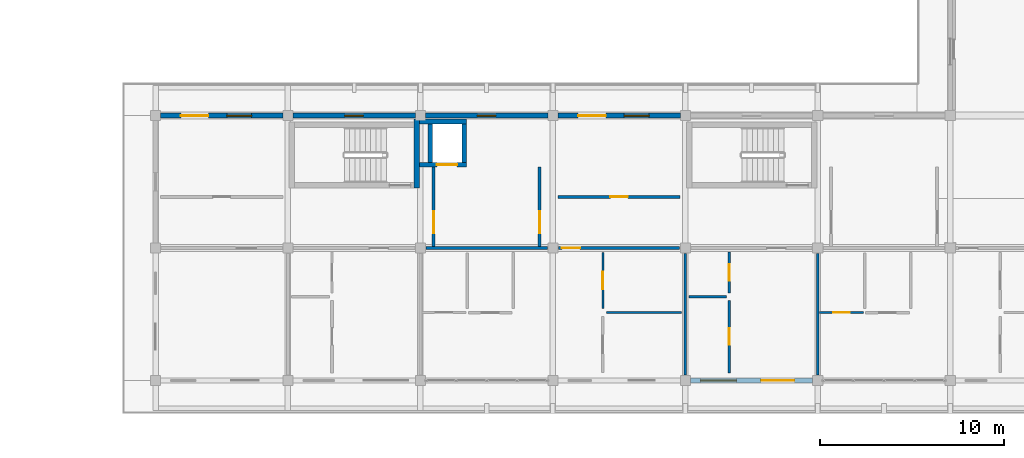
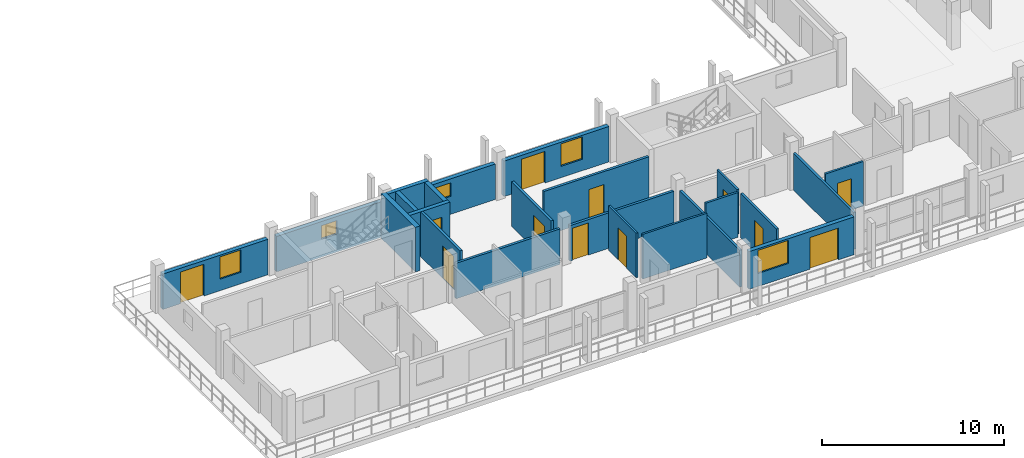
# One storey, part 45 of 67: 23 walls, 12 doors, 5 windows, 17 openings.
"""IFC4 building model written with IfcOpenShell, lengths in metres."""

import ifcopenshell
import ifcopenshell.guid

model = None  # the IFC model being written
_history = None  # IfcOwnerHistory: only IFC2X3 demands one
_inside = {}  # id of a spatial element -> (the spatial element, [elements in it])
_under = {}  # id of a project, library or spatial element -> (it, [spatial elements below it])
_declared = {}  # id of a project -> (the project, [libraries it declares])
_typed = {}  # id of a type object -> (the type object, [elements of that type])
_made_of = {}  # id of a material, layer set ... -> (it, [elements and type objects made of it])


def new_model(schema):
    """Start an empty IFC model of exactly this schema.

    Asked for "IFC4X3", IfcOpenShell would pick the latest addendum, in which some entities
    have other attributes; the version numbers below select the first issue.
    IFC2X3 requires an IfcOwnerHistory on every rooted entity: one is made here for all.
    """
    global model, _history
    if schema == "IFC4X3":
        model = ifcopenshell.file(schema_version=(4, 3, 0, 0))
    else:
        model = ifcopenshell.file(schema=schema)
    _inside.clear()
    _under.clear()
    _declared.clear()
    _typed.clear()
    _made_of.clear()
    _history = None
    if model.schema == "IFC2X3":
        org = make("IfcOrganization", Name="unknown")
        user = make(
            "IfcPersonAndOrganization",
            ThePerson=make("IfcPerson", FamilyName="unknown"),
            TheOrganization=org,
        )
        app = make(
            "IfcApplication",
            ApplicationDeveloper=org,
            Version="unknown",
            ApplicationFullName="unknown",
            ApplicationIdentifier="unknown",
        )
        _history = make(
            "IfcOwnerHistory",
            OwningUser=user,
            OwningApplication=app,
            ChangeAction="ADDED",
            CreationDate=0,
        )
    return model


def make(cls, **values):
    """One entity of the class cls with the attributes given. An attribute that is None is left unset."""
    return model.create_entity(
        cls, **{name: value for name, value in values.items() if value is not None}
    )


def rooted(cls, **values):
    """An entity with a GlobalId (a new one), such as an element, a storey or a relation."""
    return make(cls, GlobalId=ifcopenshell.guid.new(), OwnerHistory=_history, **values)


def si_unit(unit_type, name, prefix=None):
    """IfcSIUnit, for example si_unit("LENGTHUNIT", "METRE", prefix="MILLI")."""
    return make("IfcSIUnit", UnitType=unit_type, Prefix=prefix, Name=name)


def assignment(units):
    """IfcUnitAssignment: the units of a project."""
    return None if units is None else make("IfcUnitAssignment", Units=units)


def point(xyz):
    """IfcCartesianPoint."""
    return None if xyz is None else make("IfcCartesianPoint", Coordinates=xyz)


def direction(xyz):
    """IfcDirection."""
    return None if xyz is None else make("IfcDirection", DirectionRatios=xyz)


def frame(location, z_axis=None, x_axis=None):
    """IfcAxis2Placement3D, a coordinate frame: its origin and axes. An axis left out is left unset."""
    return make(
        "IfcAxis2Placement3D",
        Location=point(location),
        Axis=direction(z_axis),
        RefDirection=direction(x_axis),
    )


def frame_2d(location, x_axis=None):
    """IfcAxis2Placement2D, a coordinate frame in the plane: its origin and x axis."""
    return make(
        "IfcAxis2Placement2D", Location=point(location), RefDirection=direction(x_axis)
    )


def origin():
    """The frame at (0, 0, 0) with its axes left unset."""
    return frame((0.0, 0.0, 0.0))


def place(relative_to, where):
    """IfcLocalPlacement: puts the frame where relative to a parent placement (None: the world)."""
    return make(
        "IfcLocalPlacement", PlacementRelTo=relative_to, RelativePlacement=where
    )


def context(
    kind, dimensions, precision=None, world=None, true_north=None, identifier=None
):
    """IfcGeometricRepresentationContext, for example the 3D "Model" context."""
    return make(
        "IfcGeometricRepresentationContext",
        ContextIdentifier=identifier,
        ContextType=kind,
        CoordinateSpaceDimension=dimensions,
        Precision=precision,
        WorldCoordinateSystem=world,
        TrueNorth=true_north,
    )


def subcontext(parent, identifier, kind, view, scale=None):
    """IfcGeometricRepresentationSubContext, for example "Body" below "Model"."""
    return make(
        "IfcGeometricRepresentationSubContext",
        ContextIdentifier=identifier,
        ContextType=kind,
        ParentContext=parent,
        TargetScale=scale,
        TargetView=view,
    )


def project(units=None, contexts=None):
    """IfcProject with its units and contexts."""
    return rooted(
        "IfcProject",
        Name="project",
        RepresentationContexts=contexts,
        UnitsInContext=assignment(units),
    )


def spatial(cls, under=None, at=None, **own):
    """A site, building, storey or space (cls), placed at a placement, below another one or the project."""
    s = rooted(cls, ObjectPlacement=at, **own)
    if under is not None:
        _under.setdefault(under.id(), (under, []))[1].append(s)
    return s


def profile(cls, at=None, kind="AREA", **sizes):
    """A parametric profile (cls). Its sizes go by their IFC names, for example OverallWidth=200.0."""
    return make(cls, ProfileType=kind, Position=at, **sizes)


def rectangle(**sizes):
    """IfcRectangleProfileDef."""
    return profile("IfcRectangleProfileDef", **sizes)


def extrude(swept, where, along, depth):
    """IfcExtrudedAreaSolid: the profile swept, set in the frame where, extruded along a direction by depth."""
    return make(
        "IfcExtrudedAreaSolid",
        SweptArea=swept,
        Position=where,
        ExtrudedDirection=direction(along),
        Depth=depth,
    )


def shape(context_of_items, identifier, shape_type, items):
    """IfcShapeRepresentation: the items that make up one representation, for example the "Body"."""
    return make(
        "IfcShapeRepresentation",
        ContextOfItems=context_of_items,
        RepresentationIdentifier=identifier,
        RepresentationType=shape_type,
        Items=items,
    )


def material(Name=None, Category=None):
    """IfcMaterial."""
    return make("IfcMaterial", Name=Name, Category=Category)


def layer(
    of_material, thickness, ventilated=None, Name=None, Category=None, Priority=None
):
    """IfcMaterialLayer: one layer of a wall or slab, of a material (None: an air gap)."""
    return make(
        "IfcMaterialLayer",
        Material=of_material,
        LayerThickness=thickness,
        IsVentilated=ventilated,
        Name=Name,
        Category=Category,
        Priority=Priority,
    )


def layer_set(layers, Name=None):
    """IfcMaterialLayerSet."""
    return make("IfcMaterialLayerSet", MaterialLayers=layers, LayerSetName=Name)


def made_of(thing, what):
    """Note that an element or type object is made of a material, layer set ...; save() writes the relation."""
    if what is not None:
        _made_of.setdefault(what.id(), (what, []))[1].append(thing)
    return thing


def type_object(cls, material=None, **own):
    """A type object (cls), such as IfcWallType, which elements share."""
    return made_of(rooted(cls, **own), material)


def element(
    cls,
    number,
    at=None,
    inside=None,
    cuts=None,
    type_object=None,
    material=None,
    context=None,
    identifier="Body",
    shape_type=None,
    held_by="IfcProductDefinitionShape",
    body=None,
    shapes=None,
    **own,
):
    """One element of the class cls, such as IfcWall. Its Tag is "e" and its number.

    at: its placement. inside: the storey or other place that contains it. cuts: it is an
    opening in that element (IfcRelVoidsElement). A single representation is given by context,
    identifier, shape_type and body (its items); several are given by shapes. held_by: the class
    of the entity that holds the representations. save() writes the other relations.
    """
    e = rooted(cls, Tag="e%d" % number, ObjectPlacement=at, **own)
    if body is not None:
        shapes = [shape(context, identifier, shape_type, body)]
    if shapes is not None:
        e.Representation = make(held_by, Representations=shapes)
    if inside is not None:
        _inside.setdefault(inside.id(), (inside, []))[1].append(e)
    if cuts is not None:
        rooted(
            "IfcRelVoidsElement", RelatingBuildingElement=cuts, RelatedOpeningElement=e
        )
    if type_object is not None:
        _typed.setdefault(type_object.id(), (type_object, []))[1].append(e)
    return made_of(e, material)


def fill(opening, filler):
    """IfcRelFillsElement: the door or window that sits in an opening."""
    return rooted(
        "IfcRelFillsElement",
        RelatingOpeningElement=opening,
        RelatedBuildingElement=filler,
    )


def aggregate(whole, parts):
    """IfcRelAggregates: a whole, such as a stair, and the parts it consists of."""
    return rooted("IfcRelAggregates", RelatingObject=whole, RelatedObjects=parts)


def save(model, path):
    """Write the relations noted so far, then the file.

    IfcRelAggregates (storeys below a building ...), IfcRelContainedInSpatialStructure (elements
    in a storey), IfcRelDefinesByType, IfcRelAssociatesMaterial and IfcRelDeclares: one each for
    every whole, place, type object, material and project.
    """
    for whole, parts in _under.values():
        aggregate(whole, parts)
    for where, things in _inside.values():
        rooted(
            "IfcRelContainedInSpatialStructure",
            RelatedElements=things,
            RelatingStructure=where,
        )
    for kind, things in _typed.values():
        rooted("IfcRelDefinesByType", RelatedObjects=things, RelatingType=kind)
    for what, things in _made_of.values():
        rooted("IfcRelAssociatesMaterial", RelatedObjects=things, RelatingMaterial=what)
    for by, libraries in _declared.values():
        rooted("IfcRelDeclares", RelatingContext=by, RelatedDefinitions=libraries)
    model.write(path)


model = new_model("IFC4")

# Units and contexts
model_context = context("Model", 3, precision=1e-05, world=origin(), true_north=direction((0.0, 1.0)))
body_context = subcontext(model_context, "Body", "Model", "MODEL_VIEW")
ifc_project = project(units=[si_unit("LENGTHUNIT", "METRE"), si_unit("AREAUNIT", "SQUARE_METRE"), si_unit("VOLUMEUNIT", "CUBIC_METRE"), si_unit("PLANEANGLEUNIT", "RADIAN"), si_unit("MASSUNIT", "GRAM", prefix="KILO")], contexts=[model_context])

# Site, building, storey
site_placement = place(None, origin())
site = spatial("IfcSite", under=ifc_project, at=site_placement, CompositionType="ELEMENT")
building_placement = place(site_placement, origin())
building = spatial("IfcBuilding", under=site, at=building_placement, Name="Suanplinth Sawtooth Commons", CompositionType="ELEMENT")
storey_placement = place(building_placement, frame((0.0, 0.0, 25.10009765625)))
storey = spatial("IfcBuildingStorey", under=building, at=storey_placement, Name="L07", CompositionType="ELEMENT", Elevation=25.10009765625)

# Wall
ifc_material_1 = material(Name="Concrete C40/50", Category="concrete")
ifc_layer_1 = layer(ifc_material_1, 0.300048828125, Name="Standard RC stair and lift core wall 300mm")
ifc_layer_set_1 = layer_set([ifc_layer_1], Name="Concrete C40/50")
wall_type_1 = type_object("IfcWallType", Name="W-CR02", PredefinedType="SHEAR", material=ifc_layer_set_1)
wall_1_placement = place(storey_placement, frame((143.800048828125, 10.449951171875, 0.0), z_axis=(0.0, 0.0, 1.0), x_axis=(0.0, 1.0, 0.0)))
element("IfcWall", 1, at=wall_1_placement, inside=storey, type_object=wall_type_1, Name="W-L07-C-C1-STE", PredefinedType="SHEAR", context=body_context, shape_type="SweptSolid", body=[
    extrude(rectangle(XDim=3.75, YDim=0.300048828125, at=frame_2d((1.875, 0.0))), origin(), (0.0, 0.0, 1.0), 2.989990234375),
])

# Wall, openings, door, window
ifc_material_2 = material(Name="Precast concrete C40/50", Category="concrete")
ifc_layer_2 = layer(ifc_material_2, 0.260009765625, Name="Insulated precast courtyard facade wall 260mm")
ifc_layer_set_2 = layer_set([ifc_layer_2], Name="Precast concrete C40/50")
wall_type_2 = type_object("IfcWallType", Name="W-EX02", PredefinedType="ELEMENTEDWALL", material=ifc_layer_set_2)
wall_2_placement = place(storey_placement, frame((129.875, 14.39990234375, 0.0), z_axis=(0.0, 0.0, 1.0), x_axis=(1.0, 0.0, 0.0)))
wall_2 = element("IfcWall", 2, at=wall_2_placement, inside=storey, type_object=wall_type_2, Name="Facade Wall W-L07-C-N-18-1", PredefinedType="ELEMENTEDWALL", context=body_context, shape_type="SweptSolid", body=[
    extrude(rectangle(XDim=6.64990234375, YDim=0.260009765625, at=frame_2d((3.324951171875, 0.0))), origin(), (0.0, 0.0, 1.0), 2.375),
])
opening_1_placement = place(wall_2_placement, frame((1.10009765625, 0.0, 0.0)))
opening_1 = element("IfcOpeningElement", 3, at=opening_1_placement, cuts=wall_2, Name="Opening ED0593", PredefinedType="OPENING", context=body_context, shape_type="SweptSolid", body=[
    extrude(rectangle(XDim=1.5, YDim=2.1201171875, at=frame_2d((0.75, 1.06005859375))), frame((0.0, 0.14501953125, 0.0), z_axis=(0.0, -1.0, 0.0), x_axis=(1.0, 0.0, 0.0)), (0.0, 0.0, 1.0), 0.289794921875),
])
opening_2_placement = place(wall_2_placement, frame((3.60009765625, 0.0, 0.764892578125)))
opening_2 = element("IfcOpeningElement", 4, at=opening_2_placement, cuts=wall_2, Name="Opening W0673", PredefinedType="OPENING", context=body_context, shape_type="SweptSolid", body=[
    extrude(rectangle(XDim=1.35009765625, YDim=1.5, at=frame_2d((0.675048828125, 0.75))), frame((0.0, 0.14501953125, 0.0), z_axis=(0.0, -1.0, 0.0), x_axis=(1.0, 0.0, 0.0)), (0.0, 0.0, 1.0), 0.289794921875),
])
ifc_material_3 = material(Name="Anodized aluminium and low-E glass", Category="aluminium")
door_type_1 = type_object("IfcDoorType", Name="SD-03", OperationType="SLIDING_TO_LEFT", PredefinedType="DOOR", material=ifc_material_3)
door_1_placement = place(opening_1_placement, frame((1.5, 0.0, 0.0), z_axis=(0.0, 0.0, 1.0), x_axis=(-1.0, 0.0, 0.0)))
door_1 = element("IfcDoor", 5, at=door_1_placement, inside=storey, type_object=door_type_1, Name="Courtyard Balcony Door L07-C-18", OperationType="SLIDING_TO_LEFT", OverallHeight=2.1201171875, OverallWidth=1.5, PredefinedType="DOOR", context=body_context, shape_type="SweptSolid", body=[
    extrude(rectangle(XDim=1.5, YDim=2.1201171875, at=frame_2d((0.75, 1.06005859375))), frame((0.0, 0.02490234375, 0.0), z_axis=(0.0, -1.0, 0.0), x_axis=(1.0, 0.0, 0.0)), (0.0, 0.0, 1.0), 0.050048828125),
])
fill(opening_1, door_1)
ifc_material_4 = material(Name="Thermally broken aluminium and low-E double glazing", Category="aluminium")
window_type_1 = type_object("IfcWindowType", Name="WN-14", PartitioningType="SINGLE_PANEL", PredefinedType="WINDOW", material=ifc_material_4)
window_1_placement = place(opening_2_placement, origin())
window_1 = element("IfcWindow", 6, at=window_1_placement, inside=storey, type_object=window_type_1, Name="Courtyard Window L07-C-18", OverallHeight=1.5, OverallWidth=1.35009765625, PartitioningType="SINGLE_PANEL", PredefinedType="WINDOW", context=body_context, shape_type="SweptSolid", body=[
    extrude(rectangle(XDim=1.35009765625, YDim=1.5, at=frame_2d((0.675048828125, 0.75))), frame((0.0, 0.030029296875, 0.0), z_axis=(0.0, -1.0, 0.0), x_axis=(1.0, 0.0, 0.0)), (0.0, 0.0, 1.0), 0.06005859375),
])
fill(opening_2, window_1)

# Wall, opening, window
wall_3_placement = place(storey_placement, frame((137.074951171875, 14.39990234375, 0.0), z_axis=(0.0, 0.0, 1.0), x_axis=(1.0, 0.0, 0.0)))
wall_3 = element("IfcWall", 7, at=wall_3_placement, inside=storey, type_object=wall_type_2, Name="Facade Wall W-L07-C-N-19-1", PredefinedType="ELEMENTEDWALL", context=body_context, shape_type="SweptSolid", body=[
    extrude(rectangle(XDim=6.650146484375, YDim=0.260009765625, at=frame_2d((3.3251953125, 0.0))), origin(), (0.0, 0.0, 1.0), 2.375),
])
opening_3_placement = place(wall_3_placement, frame((2.824951171875, 0.0, 1.199951171875)))
opening_3 = element("IfcOpeningElement", 8, at=opening_3_placement, cuts=wall_3, Name="Opening W0676", PredefinedType="OPENING", context=body_context, shape_type="SweptSolid", body=[
    extrude(rectangle(XDim=1.0, YDim=0.89990234375, at=frame_2d((0.5, 0.449951171875))), frame((0.0, 0.14501953125, 0.0), z_axis=(0.0, -1.0, 0.0), x_axis=(1.0, 0.0, 0.0)), (0.0, 0.0, 1.0), 0.289794921875),
])
window_type_2 = type_object("IfcWindowType", Name="WN-12", PartitioningType="SINGLE_PANEL", PredefinedType="WINDOW", material=ifc_material_4)
window_2_placement = place(opening_3_placement, origin())
window_2 = element("IfcWindow", 9, at=window_2_placement, inside=storey, type_object=window_type_2, Name="Core Daylight Window L07-C-19-1", OverallHeight=0.89990234375, OverallWidth=1.0, PartitioningType="SINGLE_PANEL", PredefinedType="WINDOW", context=body_context, shape_type="SweptSolid", body=[
    extrude(rectangle(XDim=1.0, YDim=0.89990234375, at=frame_2d((0.5, 0.449951171875))), frame((0.0, 0.030029296875, 0.0), z_axis=(0.0, -1.0, 0.0), x_axis=(1.0, 0.0, 0.0)), (0.0, 0.0, 1.0), 0.06005859375),
])
fill(opening_3, window_2)

wall_4_placement = place(storey_placement, frame((144.27490234375, 14.39990234375, 0.0), z_axis=(0.0, 0.0, 1.0), x_axis=(1.0, 0.0, 0.0)))
wall_4 = element("IfcWall", 10, at=wall_4_placement, inside=storey, type_object=wall_type_2, Name="Facade Wall W-L07-C-N-20-1", PredefinedType="ELEMENTEDWALL", context=body_context, shape_type="SweptSolid", body=[
    extrude(rectangle(XDim=6.650146484375, YDim=0.260009765625, at=frame_2d((3.3251953125, 0.0))), origin(), (0.0, 0.0, 1.0), 2.375),
])
opening_4_placement = place(wall_4_placement, frame((2.824951171875, 0.0, 1.199951171875)))
opening_4 = element("IfcOpeningElement", 11, at=opening_4_placement, cuts=wall_4, Name="Opening W0677", PredefinedType="OPENING", context=body_context, shape_type="SweptSolid", body=[
    extrude(rectangle(XDim=1.0, YDim=0.89990234375, at=frame_2d((0.5, 0.449951171875))), frame((0.0, 0.14501953125, 0.0), z_axis=(0.0, -1.0, 0.0), x_axis=(1.0, 0.0, 0.0)), (0.0, 0.0, 1.0), 0.289794921875),
])
window_3_placement = place(opening_4_placement, origin())
window_3 = element("IfcWindow", 12, at=window_3_placement, inside=storey, type_object=window_type_2, Name="Core Daylight Window L07-C-20-1", OverallHeight=0.89990234375, OverallWidth=1.0, PartitioningType="SINGLE_PANEL", PredefinedType="WINDOW", context=body_context, shape_type="SweptSolid", body=[
    extrude(rectangle(XDim=1.0, YDim=0.89990234375, at=frame_2d((0.5, 0.449951171875))), frame((0.0, 0.030029296875, 0.0), z_axis=(0.0, -1.0, 0.0), x_axis=(1.0, 0.0, 0.0)), (0.0, 0.0, 1.0), 0.06005859375),
])
fill(opening_4, window_3)

# Wall, openings, door, window
wall_5_placement = place(storey_placement, frame((151.47509765625, 14.39990234375, 0.0), z_axis=(0.0, 0.0, 1.0), x_axis=(1.0, 0.0, 0.0)))
wall_5 = element("IfcWall", 13, at=wall_5_placement, inside=storey, type_object=wall_type_2, Name="Facade Wall W-L07-C-N-21-1", PredefinedType="ELEMENTEDWALL", context=body_context, shape_type="SweptSolid", body=[
    extrude(rectangle(XDim=6.64990234375, YDim=0.260009765625, at=frame_2d((3.324951171875, 0.0))), origin(), (0.0, 0.0, 1.0), 2.375),
])
opening_5_placement = place(wall_5_placement, frame((1.10009765625, 0.0, 0.0)))
opening_5 = element("IfcOpeningElement", 14, at=opening_5_placement, cuts=wall_5, Name="Opening ED0596", PredefinedType="OPENING", context=body_context, shape_type="SweptSolid", body=[
    extrude(rectangle(XDim=1.5, YDim=2.1201171875, at=frame_2d((0.75, 1.06005859375))), frame((0.0, 0.14501953125, 0.0), z_axis=(0.0, -1.0, 0.0), x_axis=(1.0, 0.0, 0.0)), (0.0, 0.0, 1.0), 0.289794921875),
])
opening_6_placement = place(wall_5_placement, frame((3.60009765625, 0.0, 0.764892578125)))
opening_6 = element("IfcOpeningElement", 15, at=opening_6_placement, cuts=wall_5, Name="Opening W0679", PredefinedType="OPENING", context=body_context, shape_type="SweptSolid", body=[
    extrude(rectangle(XDim=1.35009765625, YDim=1.5, at=frame_2d((0.675048828125, 0.75))), frame((0.0, 0.14501953125, 0.0), z_axis=(0.0, -1.0, 0.0), x_axis=(1.0, 0.0, 0.0)), (0.0, 0.0, 1.0), 0.289794921875),
])
door_2_placement = place(opening_5_placement, frame((1.5, 0.0, 0.0), z_axis=(0.0, 0.0, 1.0), x_axis=(-1.0, 0.0, 0.0)))
door_2 = element("IfcDoor", 16, at=door_2_placement, inside=storey, type_object=door_type_1, Name="Courtyard Balcony Door L07-C-21", OperationType="SLIDING_TO_LEFT", OverallHeight=2.1201171875, OverallWidth=1.5, PredefinedType="DOOR", context=body_context, shape_type="SweptSolid", body=[
    extrude(rectangle(XDim=1.5, YDim=2.1201171875, at=frame_2d((0.75, 1.06005859375))), frame((0.0, 0.02490234375, 0.0), z_axis=(0.0, -1.0, 0.0), x_axis=(1.0, 0.0, 0.0)), (0.0, 0.0, 1.0), 0.050048828125),
])
fill(opening_5, door_2)
window_4_placement = place(opening_6_placement, origin())
window_4 = element("IfcWindow", 17, at=window_4_placement, inside=storey, type_object=window_type_1, Name="Courtyard Window L07-C-21", OverallHeight=1.5, OverallWidth=1.35009765625, PartitioningType="SINGLE_PANEL", PredefinedType="WINDOW", context=body_context, shape_type="SweptSolid", body=[
    extrude(rectangle(XDim=1.35009765625, YDim=1.5, at=frame_2d((0.675048828125, 0.75))), frame((0.0, 0.030029296875, 0.0), z_axis=(0.0, -1.0, 0.0), x_axis=(1.0, 0.0, 0.0)), (0.0, 0.0, 1.0), 0.06005859375),
])
fill(opening_6, window_4)

wall_6_placement = place(storey_placement, frame((158.675048828125, 0.0, 0.0), z_axis=(0.0, 0.0, 1.0), x_axis=(1.0, 0.0, 0.0)))
wall_6 = element("IfcWall", 18, at=wall_6_placement, inside=storey, type_object=wall_type_2, Name="Facade Wall W-L07-C-S-22-0", PredefinedType="ELEMENTEDWALL", context=body_context, shape_type="SweptSolid", body=[
    extrude(rectangle(XDim=6.64990234375, YDim=0.260009765625, at=frame_2d((3.324951171875, 0.0))), origin(), (0.0, 0.0, 1.0), 2.52490234375),
])
opening_7_placement = place(wall_6_placement, frame((3.85009765625, 0.0, 0.0)))
opening_7 = element("IfcOpeningElement", 19, at=opening_7_placement, cuts=wall_6, Name="Opening ED0597", PredefinedType="OPENING", context=body_context, shape_type="SweptSolid", body=[
    extrude(rectangle(XDim=1.800048828125, YDim=2.1201171875, at=frame_2d((0.89990234375, 1.06005859375))), frame((0.0, 0.14501953125, 0.0), z_axis=(0.0, -1.0, 0.0), x_axis=(1.0, 0.0, 0.0)), (0.0, 0.0, 1.0), 0.289794921875),
])
opening_8_placement = place(wall_6_placement, frame((0.550048828125, 0.0, 0.864990234375)))
opening_8 = element("IfcOpeningElement", 20, at=opening_8_placement, cuts=wall_6, Name="Opening W0680", PredefinedType="OPENING", context=body_context, shape_type="SweptSolid", body=[
    extrude(rectangle(XDim=1.949951171875, YDim=1.550048828125, at=frame_2d((0.97509765625, 0.77490234375))), frame((0.0, 0.14501953125, 0.0), z_axis=(0.0, -1.0, 0.0), x_axis=(1.0, 0.0, 0.0)), (0.0, 0.0, 1.0), 0.289794921875),
])
door_type_2 = type_object("IfcDoorType", Name="SD-01", OperationType="SLIDING_TO_LEFT", PredefinedType="DOOR", material=ifc_material_3)
door_3_placement = place(opening_7_placement, frame((1.800048828125, 0.0, 0.0), z_axis=(0.0, 0.0, 1.0), x_axis=(-1.0, 0.0, 0.0)))
door_3 = element("IfcDoor", 21, at=door_3_placement, inside=storey, type_object=door_type_2, Name="Balcony Sliding Door L07-C-22", OperationType="SLIDING_TO_LEFT", OverallHeight=2.1201171875, OverallWidth=1.800048828125, PredefinedType="DOOR", context=body_context, shape_type="SweptSolid", body=[
    extrude(rectangle(XDim=1.800048828125, YDim=2.1201171875, at=frame_2d((0.89990234375, 1.06005859375))), frame((0.0, 0.02490234375, 0.0), z_axis=(0.0, -1.0, 0.0), x_axis=(1.0, 0.0, 0.0)), (0.0, 0.0, 1.0), 0.050048828125),
])
fill(opening_7, door_3)
window_type_3 = type_object("IfcWindowType", Name="WN-18", PartitioningType="DOUBLE_PANEL_VERTICAL", PredefinedType="WINDOW", material=ifc_material_4)
window_5_placement = place(opening_8_placement, origin())
window_5 = element("IfcWindow", 22, at=window_5_placement, inside=storey, type_object=window_type_3, Name="Apartment Window L07-C-22", OverallHeight=1.550048828125, OverallWidth=1.949951171875, PartitioningType="DOUBLE_PANEL_VERTICAL", PredefinedType="WINDOW", context=body_context, shape_type="SweptSolid", body=[
    extrude(rectangle(XDim=1.949951171875, YDim=1.550048828125, at=frame_2d((0.97509765625, 0.77490234375))), frame((0.0, 0.030029296875, 0.0), z_axis=(0.0, -1.0, 0.0), x_axis=(1.0, 0.0, 0.0)), (0.0, 0.0, 1.0), 0.06005859375),
])
fill(opening_8, window_5)

# Wall, opening, door
ifc_layer_3 = layer(ifc_material_2, 0.159912109375, Name="Fire-rated corridor and lobby wall 160mm")
ifc_layer_set_3 = layer_set([ifc_layer_3], Name="Precast concrete C40/50")
wall_type_3 = type_object("IfcWallType", Name="W-FW01", PredefinedType="PARTITIONING", material=ifc_layer_set_3)
wall_7_placement = place(storey_placement, frame((144.719970703125, 7.280029296875, 0.0), z_axis=(0.0, 0.0, 1.0), x_axis=(0.0, 1.0, 0.0)))
wall_7 = element("IfcWall", 23, at=wall_7_placement, inside=storey, type_object=wall_type_3, Name="W-L07-C-C1-LOB-W", PredefinedType="PARTITIONING", context=body_context, shape_type="SweptSolid", body=[
    extrude(rectangle(XDim=4.320068359375, YDim=0.159912109375, at=frame_2d((2.16015625, 0.0))), origin(), (0.0, 0.0, 1.0), 2.989990234375),
])
opening_9_placement = place(wall_7_placement, frame((0.719970703125, 0.0, 0.0)))
opening_9 = element("IfcOpeningElement", 24, at=opening_9_placement, cuts=wall_7, Name="Opening FD0309", PredefinedType="OPENING", context=body_context, shape_type="SweptSolid", body=[
    extrude(rectangle(XDim=1.199951171875, YDim=2.199951171875, at=frame_2d((0.60009765625, 1.10009765625))), frame((0.0, 0.0947265625, 0.0), z_axis=(0.0, -1.0, 0.0), x_axis=(1.0, 0.0, 0.0)), (0.0, 0.0, 1.0), 0.189697265625),
])
ifc_material_5 = material(Name="Teak hardwood fire-rated door assembly", Category="wood")
door_type_3 = type_object("IfcDoorType", Name="FD-02", OperationType="NOTDEFINED", PredefinedType="DOOR", material=ifc_material_5)
door_4_placement = place(opening_9_placement, origin())
door_4 = element("IfcDoor", 25, at=door_4_placement, inside=storey, type_object=door_type_3, Name="Lobby Fire Door FD0309", OperationType="SINGLE_SWING_RIGHT", OverallHeight=2.199951171875, OverallWidth=1.199951171875, PredefinedType="DOOR", context=body_context, shape_type="SweptSolid", body=[
    extrude(rectangle(XDim=1.199951171875, YDim=2.199951171875, at=frame_2d((0.60009765625, 1.10009765625))), frame((0.0, 0.02490234375, 0.0), z_axis=(0.0, -1.0, 0.0), x_axis=(1.0, 0.0, 0.0)), (0.0, 0.0, 1.0), 0.050048828125),
])
fill(opening_9, door_4)

wall_8_placement = place(storey_placement, frame((150.47998046875, 7.280029296875, 0.0), z_axis=(0.0, 0.0, 1.0), x_axis=(0.0, 1.0, 0.0)))
wall_8 = element("IfcWall", 26, at=wall_8_placement, inside=storey, type_object=wall_type_3, Name="W-L07-C-C1-LOB-E", PredefinedType="PARTITIONING", context=body_context, shape_type="SweptSolid", body=[
    extrude(rectangle(XDim=4.320068359375, YDim=0.159912109375, at=frame_2d((2.16015625, 0.0))), origin(), (0.0, 0.0, 1.0), 2.989990234375),
])
opening_10_placement = place(wall_8_placement, frame((0.719970703125, 0.0, 0.0)))
opening_10 = element("IfcOpeningElement", 27, at=opening_10_placement, cuts=wall_8, Name="Opening FD0310", PredefinedType="OPENING", context=body_context, shape_type="SweptSolid", body=[
    extrude(rectangle(XDim=1.199951171875, YDim=2.199951171875, at=frame_2d((0.60009765625, 1.10009765625))), frame((0.0, 0.0947265625, 0.0), z_axis=(0.0, -1.0, 0.0), x_axis=(1.0, 0.0, 0.0)), (0.0, 0.0, 1.0), 0.189697265625),
])
door_5_placement = place(opening_10_placement, frame((1.199951171875, 0.0, 0.0), z_axis=(0.0, 0.0, 1.0), x_axis=(-1.0, 0.0, 0.0)))
door_5 = element("IfcDoor", 28, at=door_5_placement, inside=storey, type_object=door_type_3, Name="Lobby Fire Door FD0310", OperationType="SINGLE_SWING_LEFT", OverallHeight=2.199951171875, OverallWidth=1.199951171875, PredefinedType="DOOR", context=body_context, shape_type="SweptSolid", body=[
    extrude(rectangle(XDim=1.199951171875, YDim=2.199951171875, at=frame_2d((0.60009765625, 1.10009765625))), frame((0.0, 0.02490234375, 0.0), z_axis=(0.0, -1.0, 0.0), x_axis=(1.0, 0.0, 0.0)), (0.0, 0.0, 1.0), 0.050048828125),
])
fill(opening_10, door_5)

# Wall
wall_9_placement = place(storey_placement, frame((144.304931640625, 7.199951171875, 0.0), z_axis=(0.0, 0.0, 1.0), x_axis=(1.0, 0.0, 0.0)))
element("IfcWall", 29, at=wall_9_placement, inside=storey, type_object=wall_type_3, Name="W-C-L07-U03-COR-S1", PredefinedType="PARTITIONING", context=body_context, shape_type="SweptSolid", body=[
    extrude(rectangle(XDim=6.590087890625, YDim=0.159912109375, at=frame_2d((3.294921875, 0.0))), origin(), (0.0, 0.0, 1.0), 2.375),
])

# Wall, opening, door
wall_10_placement = place(storey_placement, frame((151.5048828125, 7.199951171875, 0.0), z_axis=(0.0, 0.0, 1.0), x_axis=(1.0, 0.0, 0.0)))
wall_10 = element("IfcWall", 30, at=wall_10_placement, inside=storey, type_object=wall_type_3, Name="W-C-L07-U03-COR-S2", PredefinedType="PARTITIONING", context=body_context, shape_type="SweptSolid", body=[
    extrude(rectangle(XDim=6.590087890625, YDim=0.159912109375, at=frame_2d((3.294921875, 0.0))), origin(), (0.0, 0.0, 1.0), 2.375),
])
opening_11_placement = place(wall_10_placement, frame((0.179931640625, 0.0, 0.0)))
opening_11 = element("IfcOpeningElement", 31, at=opening_11_placement, cuts=wall_10, Name="Opening FD1577", PredefinedType="OPENING", context=body_context, shape_type="SweptSolid", body=[
    extrude(rectangle(XDim=1.0, YDim=2.14990234375, at=frame_2d((0.5, 1.074951171875))), frame((0.0, 0.0947265625, 0.0), z_axis=(0.0, -1.0, 0.0), x_axis=(1.0, 0.0, 0.0)), (0.0, 0.0, 1.0), 0.189697265625),
])
door_type_4 = type_object("IfcDoorType", Name="FD-03", OperationType="NOTDEFINED", PredefinedType="DOOR", material=ifc_material_5)
door_6_placement = place(opening_11_placement, frame((1.0, 0.0, 0.0), z_axis=(0.0, 0.0, 1.0), x_axis=(-1.0, 0.0, 0.0)))
door_6 = element("IfcDoor", 32, at=door_6_placement, inside=storey, type_object=door_type_4, Name="Unit Entrance Door FD1577", OperationType="SINGLE_SWING_LEFT", OverallHeight=2.14990234375, OverallWidth=1.0, PredefinedType="DOOR", context=body_context, shape_type="SweptSolid", body=[
    extrude(rectangle(XDim=1.0, YDim=2.14990234375, at=frame_2d((0.5, 1.074951171875))), frame((0.0, 0.02490234375, 0.0), z_axis=(0.0, -1.0, 0.0), x_axis=(1.0, 0.0, 0.0)), (0.0, 0.0, 1.0), 0.050048828125),
])
fill(opening_11, door_6)

wall_11_placement = place(storey_placement, frame((151.47998046875, 9.97998046875, 0.0), z_axis=(0.0, 0.0, 1.0), x_axis=(1.0, 0.0, 0.0)))
wall_11 = element("IfcWall", 33, at=wall_11_placement, inside=storey, type_object=wall_type_3, Name="W-C-L07-COURTROOM-40-COR", PredefinedType="PARTITIONING", context=body_context, shape_type="SweptSolid", body=[
    extrude(rectangle(XDim=6.64013671875, YDim=0.159912109375, at=frame_2d((3.320068359375, 0.0))), origin(), (0.0, 0.0, 1.0), 2.989990234375),
])
opening_12_placement = place(wall_11_placement, frame((2.85009765625, 0.0, 0.0)))
opening_12 = element("IfcOpeningElement", 34, at=opening_12_placement, cuts=wall_11, Name="Opening D1594", PredefinedType="OPENING", context=body_context, shape_type="SweptSolid", body=[
    extrude(rectangle(XDim=0.93994140625, YDim=2.1201171875, at=frame_2d((0.469970703125, 1.06005859375))), frame((0.0, 0.0947265625, 0.0), z_axis=(0.0, -1.0, 0.0), x_axis=(1.0, 0.0, 0.0)), (0.0, 0.0, 1.0), 0.189697265625),
])
ifc_material_6 = material(Name="Teak hardwood", Category="wood")
door_type_5 = type_object("IfcDoorType", Name="D-15", OperationType="NOTDEFINED", PredefinedType="DOOR", material=ifc_material_6)
door_7_placement = place(opening_12_placement, origin())
door_7 = element("IfcDoor", 35, at=door_7_placement, inside=storey, type_object=door_type_5, Name="Study Studio Door D1594", OperationType="SINGLE_SWING_RIGHT", OverallHeight=2.1201171875, OverallWidth=0.93994140625, PredefinedType="DOOR", context=body_context, shape_type="SweptSolid", body=[
    extrude(rectangle(XDim=0.93994140625, YDim=2.1201171875, at=frame_2d((0.469970703125, 1.06005859375))), frame((0.0, 0.02490234375, 0.0), z_axis=(0.0, -1.0, 0.0), x_axis=(1.0, 0.0, 0.0)), (0.0, 0.0, 1.0), 0.050048828125),
])
fill(opening_12, door_7)

# Walls
ifc_layer_4 = layer(ifc_material_2, 0.14990234375, Name="Acoustic precast party demising wall 150mm")
ifc_layer_set_4 = layer_set([ifc_layer_4], Name="Precast concrete C40/50")
wall_type_4 = type_object("IfcWallType", Name="W-FW02", PredefinedType="PARTITIONING", material=ifc_layer_set_4)
for number, where, z_axis, x_axis, name in (
    (36, (158.39990234375, 0.304931640625, 0.0), (0.0, 0.0, 1.0), (0.0, 1.0, 0.0), "W-C-L07-U03-PTY"),
    (37, (165.60009765625, 0.304931640625, 0.0), (0.0, 0.0, 1.0), (0.0, 1.0, 0.0), "W-C-L07-U04-PTY"),
):
    element("IfcWall", number, at=place(storey_placement, frame(where, z_axis=z_axis, x_axis=x_axis)), inside=storey, type_object=wall_type_4, Name=name, PredefinedType="PARTITIONING", context=body_context, shape_type="SweptSolid", body=[
        extrude(rectangle(XDim=6.590087890625, YDim=0.14990234375, at=frame_2d((3.294921875, 0.0))), origin(), (0.0, 0.0, 1.0), 2.474853515625),
    ])

# Wall, opening, door
ifc_material_7 = material(Name="Gypsum plasterboard on steel stud", Category="steel")
ifc_layer_5 = layer(ifc_material_7, 0.139892578125, Name="Fire-rated kitchen partition 140mm")
ifc_layer_set_5 = layer_set([ifc_layer_5], Name="Gypsum plasterboard on steel stud")
wall_type_5 = type_object("IfcWallType", Name="W-PT01", PredefinedType="PARTITIONING", material=ifc_layer_set_5)
wall_12_placement = place(storey_placement, frame((160.794921875, 0.419921875, 0.0), z_axis=(0.0, 0.0, 1.0), x_axis=(0.0, 1.0, 0.0)))
wall_12 = element("IfcWall", 38, at=wall_12_placement, inside=storey, type_object=wall_type_5, Name="W-C-L07-U04-KITE", PredefinedType="PARTITIONING", context=body_context, shape_type="SweptSolid", body=[
    extrude(rectangle(XDim=3.940185546875, YDim=0.139892578125, at=frame_2d((1.97021484375, 0.0))), origin(), (0.0, 0.0, 1.0), 2.989990234375),
])
opening_13_placement = place(wall_12_placement, frame((1.510009765625, 0.0, 0.0)))
opening_13 = element("IfcOpeningElement", 39, at=opening_13_placement, cuts=wall_12, Name="Opening D1584", PredefinedType="OPENING", context=body_context, shape_type="SweptSolid", body=[
    extrude(rectangle(XDim=0.919921875, YDim=2.10009765625, at=frame_2d((0.4599609375, 1.050048828125))), frame((0.0, 0.0849609375, 0.0), z_axis=(0.0, -1.0, 0.0), x_axis=(1.0, 0.0, 0.0)), (0.0, 0.0, 1.0), 0.169677734375),
])
door_type_6 = type_object("IfcDoorType", Name="D-02", OperationType="NOTDEFINED", PredefinedType="DOOR", material=ifc_material_6)
door_8_placement = place(opening_13_placement, origin())
door_8 = element("IfcDoor", 40, at=door_8_placement, inside=storey, type_object=door_type_6, Name="Kitchen Door D1584", OperationType="SINGLE_SWING_RIGHT", OverallHeight=2.10009765625, OverallWidth=0.919921875, PredefinedType="DOOR", context=body_context, shape_type="SweptSolid", body=[
    extrude(rectangle(XDim=0.919921875, YDim=2.10009765625, at=frame_2d((0.4599609375, 1.050048828125))), frame((0.0, 0.02490234375, 0.0), z_axis=(0.0, -1.0, 0.0), x_axis=(1.0, 0.0, 0.0)), (0.0, 0.0, 1.0), 0.050048828125),
])
fill(opening_13, door_8)

# Wall
ifc_layer_6 = layer(ifc_material_7, 0.1298828125, Name="Moisture-resistant bathroom partition 130mm")
ifc_layer_set_6 = layer_set([ifc_layer_6], Name="Gypsum plasterboard on steel stud")
wall_type_6 = type_object("IfcWallType", Name="W-PT02", PredefinedType="PARTITIONING", material=ifc_layer_set_6)
wall_13_placement = place(storey_placement, frame((158.60009765625, 4.56005859375, 0.0), z_axis=(0.0, 0.0, 1.0), x_axis=(1.0, 0.0, 0.0)))
element("IfcWall", 41, at=wall_13_placement, inside=storey, type_object=wall_type_6, Name="W-C-L07-U04-STDIV", PredefinedType="PARTITIONING", context=body_context, shape_type="SweptSolid", body=[
    extrude(rectangle(XDim=2.0498046875, YDim=0.1298828125, at=frame_2d((1.02490234375, 0.0))), origin(), (0.0, 0.0, 1.0), 2.989990234375),
])

# Wall, opening, door
wall_14_placement = place(storey_placement, frame((160.794921875, 4.760009765625, 0.0), z_axis=(0.0, 0.0, 1.0), x_axis=(0.0, 1.0, 0.0)))
wall_14 = element("IfcWall", 42, at=wall_14_placement, inside=storey, type_object=wall_type_6, Name="W-C-L07-U04-BTHE", PredefinedType="PARTITIONING", context=body_context, shape_type="SweptSolid", body=[
    extrude(rectangle(XDim=2.219970703125, YDim=0.1298828125, at=frame_2d((1.10986328125, 0.0))), origin(), (0.0, 0.0, 1.0), 2.989990234375),
])
opening_14_placement = place(wall_14_placement, frame((0.669921875, 0.0, 0.0)))
opening_14 = element("IfcOpeningElement", 43, at=opening_14_placement, cuts=wall_14, Name="Opening D1583", PredefinedType="OPENING", context=body_context, shape_type="SweptSolid", body=[
    extrude(rectangle(XDim=0.8798828125, YDim=2.10009765625, at=frame_2d((0.43994140625, 1.050048828125))), frame((0.0, 0.079833984375, 0.0), z_axis=(0.0, -1.0, 0.0), x_axis=(1.0, 0.0, 0.0)), (0.0, 0.0, 1.0), 0.15966796875),
])
door_type_7 = type_object("IfcDoorType", Name="D-14", OperationType="NOTDEFINED", PredefinedType="DOOR", material=ifc_material_6)
door_9_placement = place(opening_14_placement, origin())
door_9 = element("IfcDoor", 44, at=door_9_placement, inside=storey, type_object=door_type_7, Name="Bathroom Door D1583", OperationType="SINGLE_SWING_LEFT", OverallHeight=2.10009765625, OverallWidth=0.8798828125, PredefinedType="DOOR", context=body_context, shape_type="SweptSolid", body=[
    extrude(rectangle(XDim=0.8798828125, YDim=2.10009765625, at=frame_2d((0.43994140625, 1.050048828125))), frame((0.0, 0.02490234375, 0.0), z_axis=(0.0, -1.0, 0.0), x_axis=(1.0, 0.0, 0.0)), (0.0, 0.0, 1.0), 0.050048828125),
])
fill(opening_14, door_9)

wall_15_placement = place(storey_placement, frame((165.679931640625, 3.695068359375, 0.0), z_axis=(0.0, 0.0, 1.0), x_axis=(1.0, 0.0, 0.0)))
wall_15 = element("IfcWall", 45, at=wall_15_placement, inside=storey, type_object=wall_type_6, Name="W-C-L07-U05-BTH1", PredefinedType="PARTITIONING", context=body_context, shape_type="SweptSolid", body=[
    extrude(rectangle(XDim=2.400146484375, YDim=0.1298828125, at=frame_2d((1.2001953125, 0.0))), origin(), (0.0, 0.0, 1.0), 2.989990234375),
])
opening_15_placement = place(wall_15_placement, frame((0.75, 0.0, 0.0)))
opening_15 = element("IfcOpeningElement", 46, at=opening_15_placement, cuts=wall_15, Name="Opening D1586", PredefinedType="OPENING", context=body_context, shape_type="SweptSolid", body=[
    extrude(rectangle(XDim=0.89990234375, YDim=2.10009765625, at=frame_2d((0.449951171875, 1.050048828125))), frame((0.0, 0.079833984375, 0.0), z_axis=(0.0, -1.0, 0.0), x_axis=(1.0, 0.0, 0.0)), (0.0, 0.0, 1.0), 0.15966796875),
])
door_type_8 = type_object("IfcDoorType", Name="D-01", OperationType="NOTDEFINED", PredefinedType="DOOR", material=ifc_material_6)
door_10_placement = place(opening_15_placement, origin())
door_10 = element("IfcDoor", 47, at=door_10_placement, inside=storey, type_object=door_type_8, Name="Bathroom Door D1586", OperationType="SINGLE_SWING_RIGHT", OverallHeight=2.10009765625, OverallWidth=0.89990234375, PredefinedType="DOOR", context=body_context, shape_type="SweptSolid", body=[
    extrude(rectangle(XDim=0.89990234375, YDim=2.10009765625, at=frame_2d((0.449951171875, 1.050048828125))), frame((0.0, 0.02490234375, 0.0), z_axis=(0.0, -1.0, 0.0), x_axis=(1.0, 0.0, 0.0)), (0.0, 0.0, 1.0), 0.050048828125),
])
fill(opening_15, door_10)

ifc_layer_7 = layer(ifc_material_7, 0.1201171875, Name="Acoustic bedroom partition 120mm")
ifc_layer_set_7 = layer_set([ifc_layer_7], Name="Gypsum plasterboard on steel stud")
wall_type_7 = type_object("IfcWallType", Name="W-PT03", PredefinedType="PARTITIONING", material=ifc_layer_set_7)
wall_16_placement = place(storey_placement, frame((153.919921875, 3.919921875, 0.0), z_axis=(0.0, 0.0, 1.0), x_axis=(0.0, 1.0, 0.0)))
wall_16 = element("IfcWall", 48, at=wall_16_placement, inside=storey, type_object=wall_type_7, Name="W-C-L07-U03-BED2", PredefinedType="PARTITIONING", context=body_context, shape_type="SweptSolid", body=[
    extrude(rectangle(XDim=3.0400390625, YDim=0.1201171875, at=frame_2d((1.52001953125, 0.0))), origin(), (0.0, 0.0, 1.0), 2.989990234375),
])
opening_16_placement = place(wall_16_placement, frame((1.0400390625, 0.0, 0.0)))
opening_16 = element("IfcOpeningElement", 49, at=opening_16_placement, cuts=wall_16, Name="Opening D1581", PredefinedType="OPENING", context=body_context, shape_type="SweptSolid", body=[
    extrude(rectangle(XDim=0.9599609375, YDim=2.14990234375, at=frame_2d((0.47998046875, 1.074951171875))), frame((0.0, 0.074951171875, 0.0), z_axis=(0.0, -1.0, 0.0), x_axis=(1.0, 0.0, 0.0)), (0.0, 0.0, 1.0), 0.14990234375),
])
door_type_9 = type_object("IfcDoorType", Name="D-13", OperationType="NOTDEFINED", PredefinedType="DOOR", material=ifc_material_6)
door_11_placement = place(opening_16_placement, frame((0.9599609375, 0.0, 0.0), z_axis=(0.0, 0.0, 1.0), x_axis=(-1.0, 0.0, 0.0)))
door_11 = element("IfcDoor", 50, at=door_11_placement, inside=storey, type_object=door_type_9, Name="Second Bedroom Door D1581", OperationType="SINGLE_SWING_LEFT", OverallHeight=2.14990234375, OverallWidth=0.9599609375, PredefinedType="DOOR", context=body_context, shape_type="SweptSolid", body=[
    extrude(rectangle(XDim=0.9599609375, YDim=2.14990234375, at=frame_2d((0.47998046875, 1.074951171875))), frame((0.0, 0.02490234375, 0.0), z_axis=(0.0, -1.0, 0.0), x_axis=(1.0, 0.0, 0.0)), (0.0, 0.0, 1.0), 0.050048828125),
])
fill(opening_16, door_11)

# Wall
ifc_layer_8 = layer(ifc_material_7, 0.125, Name="Acoustic study partition 125mm")
ifc_layer_set_8 = layer_set([ifc_layer_8], Name="Gypsum plasterboard on steel stud")
wall_type_8 = type_object("IfcWallType", Name="W-PT06", PredefinedType="PARTITIONING", material=ifc_layer_set_8)
wall_17_placement = place(storey_placement, frame((154.1201171875, 3.699951171875, 0.0), z_axis=(0.0, 0.0, 1.0), x_axis=(1.0, 0.0, 0.0)))
element("IfcWall", 51, at=wall_17_placement, inside=storey, type_object=wall_type_8, Name="W-C-L07-U03-BEDDIV", PredefinedType="PARTITIONING", context=body_context, shape_type="SweptSolid", body=[
    extrude(rectangle(XDim=4.059814453125, YDim=0.125, at=frame_2d((2.02978515625, 0.0))), origin(), (0.0, 0.0, 1.0), 2.989990234375),
])

# Wall, opening, door
ifc_layer_9 = layer(ifc_material_2, 0.25, Name="Precast structural shear wall 250mm")
ifc_layer_set_9 = layer_set([ifc_layer_9], Name="Precast concrete C40/50")
wall_type_9 = type_object("IfcWallType", Name="W-SH01", PredefinedType="SHEAR", material=ifc_layer_set_9)
wall_18_placement = place(storey_placement, frame((143.949951171875, 11.72509765625, 0.0), z_axis=(0.0, 0.0, 1.0), x_axis=(1.0, 0.0, 0.0)))
wall_18 = element("IfcWall", 52, at=wall_18_placement, inside=storey, type_object=wall_type_9, Name="W-L07-LF5-S", PredefinedType="SHEAR", context=body_context, shape_type="SweptSolid", body=[
    extrude(rectangle(XDim=2.550048828125, YDim=0.25, at=frame_2d((1.27490234375, 0.0))), origin(), (0.0, 0.0, 1.0), 2.989990234375),
])
opening_17_placement = place(wall_18_placement, frame((0.949951171875, 0.0, 0.0)))
opening_17 = element("IfcOpeningElement", 53, at=opening_17_placement, cuts=wall_18, Name="Opening LD0311", PredefinedType="OPENING", context=body_context, shape_type="SweptSolid", body=[
    extrude(rectangle(XDim=1.10009765625, YDim=2.14990234375, at=frame_2d((0.550048828125, 1.074951171875))), frame((0.0, 0.139892578125, 0.0), z_axis=(0.0, -1.0, 0.0), x_axis=(1.0, 0.0, 0.0)), (0.0, 0.0, 1.0), 0.27978515625),
])
ifc_material_8 = material(Name="Stainless steel Grade 304", Category="steel")
door_type_10 = type_object("IfcDoorType", Name="LD-01", OperationType="SLIDING_TO_LEFT", PredefinedType="DOOR", material=ifc_material_8)
door_12_placement = place(opening_17_placement, frame((1.10009765625, 0.0, 0.0), z_axis=(0.0, 0.0, 1.0), x_axis=(-1.0, 0.0, 0.0)))
door_12 = element("IfcDoor", 54, at=door_12_placement, inside=storey, type_object=door_type_10, Name="Lift Landing Sliding Door LF5 L07", OperationType="SLIDING_TO_LEFT", OverallHeight=2.14990234375, OverallWidth=1.10009765625, PredefinedType="DOOR", context=body_context, shape_type="SweptSolid", body=[
    extrude(rectangle(XDim=1.10009765625, YDim=2.14990234375, at=frame_2d((0.550048828125, 1.074951171875))), frame((0.0, 0.02490234375, 0.0), z_axis=(0.0, -1.0, 0.0), x_axis=(1.0, 0.0, 0.0)), (0.0, 0.0, 1.0), 0.050048828125),
])
fill(opening_17, door_12)

# Walls
wall_19_placement = place(storey_placement, frame((143.949951171875, 14.074951171875, 0.0), z_axis=(0.0, 0.0, 1.0), x_axis=(1.0, 0.0, 0.0)))
element("IfcWall", 55, at=wall_19_placement, inside=storey, type_object=wall_type_9, Name="W-L07-LF5-N", PredefinedType="SHEAR", context=body_context, shape_type="SweptSolid", body=[
    extrude(rectangle(XDim=2.550048828125, YDim=0.25, at=frame_2d((1.27490234375, 0.0))), origin(), (0.0, 0.0, 1.0), 2.989990234375),
])
for number, where, z_axis, x_axis, name in (
    (56, (144.52490234375, 11.85009765625, 0.0), (0.0, 0.0, 1.0), (0.0, 1.0, 0.0), "W-L07-LF5-W"),
    (57, (146.375, 11.85009765625, 0.0), (0.0, 0.0, 1.0), (0.0, 1.0, 0.0), "W-L07-LF5-E"),
):
    element("IfcWall", number, at=place(storey_placement, frame(where, z_axis=z_axis, x_axis=x_axis)), inside=storey, type_object=wall_type_9, Name=name, PredefinedType="SHEAR", context=body_context, shape_type="SweptSolid", body=[
        extrude(rectangle(XDim=2.099853515625, YDim=0.25, at=frame_2d((1.0498046875, 0.0))), origin(), (0.0, 0.0, 1.0), 2.989990234375),
    ])

save(model, "model.ifc")
